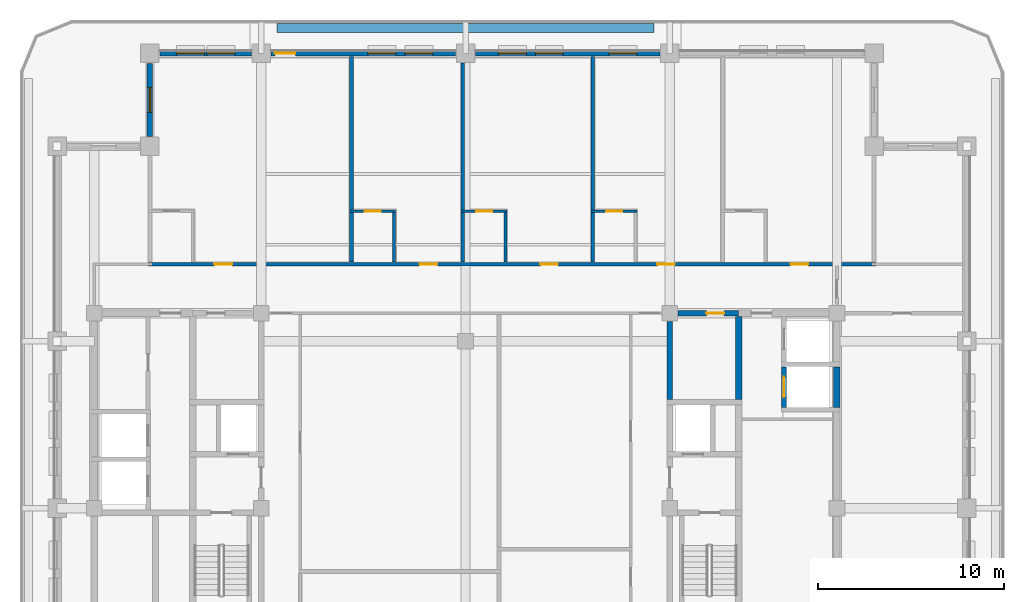
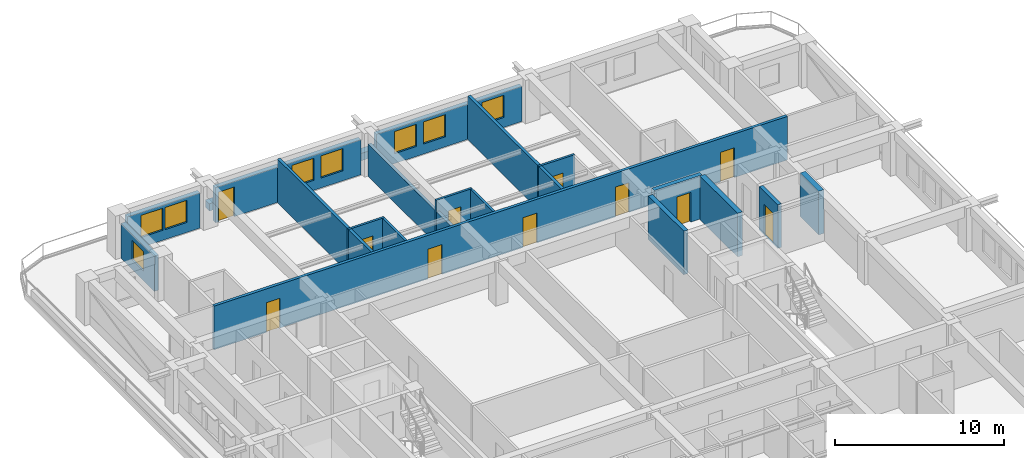
# One storey, part 6 of 13: 22 walls, 11 doors, 8 windows, 19 openings.
"""IFC4 building model written with IfcOpenShell, lengths in metres."""

from ifc_helpers import new_model, si_unit, direction, frame, frame_2d, origin, place, context, subcontext, project, spatial, rectangle, extrude, material, layer, layer_set, type_object, element, fill, save


model = new_model("IFC4")

# Units and contexts
model_context = context("Model", 3, precision=1e-05, world=origin(), true_north=direction((0.0, 1.0)))
body_context = subcontext(model_context, "Body", "Model", "MODEL_VIEW")
ifc_project = project(units=[si_unit("LENGTHUNIT", "METRE"), si_unit("AREAUNIT", "SQUARE_METRE"), si_unit("VOLUMEUNIT", "CUBIC_METRE"), si_unit("PLANEANGLEUNIT", "RADIAN"), si_unit("MASSUNIT", "GRAM", prefix="KILO")], contexts=[model_context])

# Site, building, storey
site_placement = place(None, origin())
site = spatial("IfcSite", under=ifc_project, at=site_placement, CompositionType="ELEMENT")
building_placement = place(site_placement, origin())
building = spatial("IfcBuilding", under=site, at=building_placement, Name="Zulmaris Gate Convention Tower", CompositionType="ELEMENT")
storey_placement = place(building_placement, frame((0.0, 0.0, 166.059814453125)))
storey = spatial("IfcBuildingStorey", under=building, at=storey_placement, Name="L42", CompositionType="ELEMENT", Elevation=166.059814453125)

# Wall, opening, door
ifc_material_1 = material(Name="Concrete C50/60", Category="concrete")
ifc_layer_1 = layer(ifc_material_1, 0.25, Name="Concrete C50/60")
ifc_layer_set_1 = layer_set([ifc_layer_1], Name="Concrete C50/60")
wall_type_1 = type_object("IfcWallType", Name="CORE-250", PredefinedType="SOLIDWALL", material=ifc_layer_set_1)
wall_1_placement = place(storey_placement, frame((17.14990234375, 5.427001953125, 0.0), z_axis=(0.0, 0.0, 1.0), x_axis=(0.0, 1.0, 0.0)))
wall_1 = element("IfcWall", 1, at=wall_1_placement, inside=storey, type_object=wall_type_1, Name="WL-L42-069", PredefinedType="SOLIDWALL", context=body_context, shape_type="SweptSolid", body=[
    extrude(rectangle(XDim=2.196044921875, YDim=0.25, at=frame_2d((1.09814453125, 0.0))), origin(), (0.0, 0.0, 1.0), 3.150146484375),
])
opening_1_placement = place(wall_1_placement, frame((0.548095703125, 0.0, 0.0)))
opening_1 = element("IfcOpeningElement", 2, at=opening_1_placement, cuts=wall_1, Name="Opening D-06", PredefinedType="OPENING", context=body_context, shape_type="SweptSolid", body=[
    extrude(rectangle(XDim=1.10009765625, YDim=2.199951171875, at=frame_2d((0.550048828125, 1.10009765625))), frame((0.0, 0.135009765625, 0.0), z_axis=(0.0, -1.0, 0.0), x_axis=(1.0, 0.0, 0.0)), (0.0, 0.0, 1.0), 0.27001953125),
])
ifc_material_2 = material(Name="Brushed Stainless Steel", Category="steel")
door_type_1 = type_object("IfcDoorType", Name="LD-1100", OperationType="NOTDEFINED", PredefinedType="DOOR", material=ifc_material_2)
door_1_placement = place(opening_1_placement, origin())
door_1 = element("IfcDoor", 3, at=door_1_placement, inside=storey, type_object=door_type_1, Name="L42 Lift Landing Door HP-01 14", OperationType="SLIDING_TO_RIGHT", OverallHeight=2.199951171875, OverallWidth=1.10009765625, PredefinedType="DOOR", context=body_context, shape_type="SweptSolid", body=[
    extrude(rectangle(XDim=1.10009765625, YDim=2.199951171875, at=frame_2d((0.550048828125, 1.10009765625))), frame((0.0, 0.02490234375, 0.0), z_axis=(0.0, -1.0, 0.0), x_axis=(1.0, 0.0, 0.0)), (0.0, 0.0, 1.0), 0.050048828125),
])
fill(opening_1, door_1)

ifc_layer_2 = layer(ifc_material_1, 0.300048828125, Name="Concrete C50/60")
ifc_layer_set_2 = layer_set([ifc_layer_2], Name="Concrete C50/60")
wall_type_2 = type_object("IfcWallType", Name="CORE-300", PredefinedType="SHEAR", material=ifc_layer_set_2)
wall_2_placement = place(storey_placement, frame((11.428955078125, 10.5, 0.0), z_axis=(0.0, 0.0, 1.0), x_axis=(1.0, 0.0, 0.0)))
wall_2 = element("IfcWall", 4, at=wall_2_placement, inside=storey, type_object=wall_type_2, Name="WL-L42-017", PredefinedType="SHEAR", context=body_context, shape_type="SweptSolid", body=[
    extrude(rectangle(XDim=3.27099609375, YDim=0.300048828125, at=frame_2d((1.635498046875, 0.0))), origin(), (0.0, 0.0, 1.0), 3.150146484375),
])
opening_2_placement = place(wall_2_placement, frame((1.5458984375, 0.0, 0.0)))
opening_2 = element("IfcOpeningElement", 5, at=opening_2_placement, cuts=wall_2, Name="Opening D-11", PredefinedType="OPENING", context=body_context, shape_type="SweptSolid", body=[
    extrude(rectangle(XDim=0.949951171875, YDim=2.14990234375, at=frame_2d((0.47509765625, 1.074951171875))), frame((0.0, 0.16015625, 0.0), z_axis=(0.0, -1.0, 0.0), x_axis=(1.0, 0.0, 0.0)), (0.0, 0.0, 1.0), 0.320068359375),
])
ifc_material_3 = material(Name="Fire-Rated Timber", Category="wood")
door_type_2 = type_object("IfcDoorType", Name="DR-950-FD", OperationType="NOTDEFINED", PredefinedType="DOOR", material=ifc_material_3)
door_2_placement = place(opening_2_placement, origin())
door_2 = element("IfcDoor", 6, at=door_2_placement, inside=storey, type_object=door_type_2, Name="L42 Core Cleaners Store Door 08", OperationType="SINGLE_SWING_RIGHT", OverallHeight=2.14990234375, OverallWidth=0.949951171875, PredefinedType="DOOR", context=body_context, shape_type="SweptSolid", body=[
    extrude(rectangle(XDim=0.949951171875, YDim=2.14990234375, at=frame_2d((0.47509765625, 1.074951171875))), frame((0.0, 0.02490234375, 0.0), z_axis=(0.0, -1.0, 0.0), x_axis=(1.0, 0.0, 0.0)), (0.0, 0.0, 1.0), 0.050048828125),
])
fill(opening_2, door_2)

# Walls
wall_3_placement = place(storey_placement, frame((11.0, 5.85205078125, 0.0), z_axis=(0.0, 0.0, 1.0), x_axis=(0.0, 1.0, 0.0)))
element("IfcWall", 7, at=wall_3_placement, inside=storey, type_object=wall_type_2, Name="WL-L42-062", PredefinedType="SHEAR", context=body_context, shape_type="SweptSolid", body=[
    extrude(rectangle(XDim=4.218994140625, YDim=0.300048828125, at=frame_2d((2.109375, 0.0))), origin(), (0.0, 0.0, 1.0), 3.150146484375),
])
ifc_material_4 = material(Name="Concrete C55/67", Category="concrete")
ifc_layer_3 = layer(ifc_material_4, 0.35009765625, Name="Concrete C55/67")
ifc_layer_set_3 = layer_set([ifc_layer_3], Name="Concrete C55/67")
wall_type_3 = type_object("IfcWallType", Name="CORE-350", PredefinedType="SHEAR", material=ifc_layer_set_3)
wall_4_placement = place(storey_placement, frame((14.699951171875, 5.85205078125, 0.0), z_axis=(0.0, 0.0, 1.0), x_axis=(0.0, 1.0, 0.0)))
element("IfcWall", 8, at=wall_4_placement, inside=storey, type_object=wall_type_3, Name="WL-L42-068", PredefinedType="SHEAR", context=body_context, shape_type="SweptSolid", body=[
    extrude(rectangle(XDim=4.470947265625, YDim=0.35009765625, at=frame_2d((2.2353515625, 0.0))), origin(), (0.0, 0.0, 1.0), 3.150146484375),
])
wall_5_placement = place(storey_placement, frame((20.0, 5.427001953125, 0.0), z_axis=(0.0, 0.0, 1.0), x_axis=(0.0, 1.0, 0.0)))
element("IfcWall", 9, at=wall_5_placement, inside=storey, type_object=wall_type_3, Name="WL-L42-072", PredefinedType="SHEAR", context=body_context, shape_type="SweptSolid", body=[
    extrude(rectangle(XDim=2.196044921875, YDim=0.35009765625, at=frame_2d((1.09814453125, 0.0))), origin(), (0.0, 0.0, 1.0), 3.150146484375),
])

# Wall, opening, door
ifc_material_5 = material(Name="Gypsum Metal Stud Partition")
ifc_layer_4 = layer(ifc_material_5, 0.14990234375, Name="Gypsum Metal Stud Partition")
ifc_layer_set_4 = layer_set([ifc_layer_4], Name="Gypsum Metal Stud Partition")
wall_type_4 = type_object("IfcWallType", Name="PART-150", PredefinedType="PARTITIONING", material=ifc_layer_set_4)
wall_6_placement = place(storey_placement, frame((-6.25, 16.0, 0.0), z_axis=(0.0, 0.0, 1.0), x_axis=(1.0, 0.0, 0.0)))
wall_6 = element("IfcWall", 10, at=wall_6_placement, inside=storey, type_object=wall_type_4, Name="WL-L42-038", PredefinedType="PARTITIONING", context=body_context, shape_type="SweptSolid", body=[
    extrude(rectangle(XDim=2.47509765625, YDim=0.14990234375, at=frame_2d((1.237548828125, 0.0))), origin(), (0.0, 0.0, 1.0), 3.150146484375),
])
opening_3_placement = place(wall_6_placement, frame((0.824951171875, 0.0, 0.0)))
opening_3 = element("IfcOpeningElement", 11, at=opening_3_placement, cuts=wall_6, Name="Opening D-17", PredefinedType="OPENING", context=body_context, shape_type="SweptSolid", body=[
    extrude(rectangle(XDim=0.85009765625, YDim=2.10009765625, at=frame_2d((0.425048828125, 1.050048828125))), frame((0.0, 0.0849609375, 0.0), z_axis=(0.0, -1.0, 0.0), x_axis=(1.0, 0.0, 0.0)), (0.0, 0.0, 1.0), 0.169921875),
])
ifc_material_6 = material(Name="Moisture-Resistant Hardwood Timber", Category="wood")
door_type_3 = type_object("IfcDoorType", Name="DR-850", OperationType="NOTDEFINED", PredefinedType="DOOR", material=ifc_material_6)
door_3_placement = place(opening_3_placement, origin())
door_3 = element("IfcDoor", 12, at=door_3_placement, inside=storey, type_object=door_type_3, Name="L42 En-Suite Door 25", OperationType="SINGLE_SWING_LEFT", OverallHeight=2.10009765625, OverallWidth=0.85009765625, PredefinedType="DOOR", context=body_context, shape_type="SweptSolid", body=[
    extrude(rectangle(XDim=0.85009765625, YDim=2.10009765625, at=frame_2d((0.425048828125, 1.050048828125))), frame((0.0, 0.02490234375, 0.0), z_axis=(0.0, -1.0, 0.0), x_axis=(1.0, 0.0, 0.0)), (0.0, 0.0, 1.0), 0.050048828125),
])
fill(opening_3, door_3)

wall_7_placement = place(storey_placement, frame((-0.25, 16.0, 0.0), z_axis=(0.0, 0.0, 1.0), x_axis=(1.0, 0.0, 0.0)))
wall_7 = element("IfcWall", 13, at=wall_7_placement, inside=storey, type_object=wall_type_4, Name="WL-L42-039", PredefinedType="PARTITIONING", context=body_context, shape_type="SweptSolid", body=[
    extrude(rectangle(XDim=2.47509765625, YDim=0.14990234375, at=frame_2d((1.237548828125, 0.0))), origin(), (0.0, 0.0, 1.0), 3.150146484375),
])
opening_4_placement = place(wall_7_placement, frame((0.824951171875, 0.0, 0.0)))
opening_4 = element("IfcOpeningElement", 14, at=opening_4_placement, cuts=wall_7, Name="Opening D-17", PredefinedType="OPENING", context=body_context, shape_type="SweptSolid", body=[
    extrude(rectangle(XDim=0.85009765625, YDim=2.10009765625, at=frame_2d((0.425048828125, 1.050048828125))), frame((0.0, 0.0849609375, 0.0), z_axis=(0.0, -1.0, 0.0), x_axis=(1.0, 0.0, 0.0)), (0.0, 0.0, 1.0), 0.169921875),
])
door_4_placement = place(opening_4_placement, origin())
door_4 = element("IfcDoor", 15, at=door_4_placement, inside=storey, type_object=door_type_3, Name="L42 En-Suite Door 27", OperationType="SINGLE_SWING_LEFT", OverallHeight=2.10009765625, OverallWidth=0.85009765625, PredefinedType="DOOR", context=body_context, shape_type="SweptSolid", body=[
    extrude(rectangle(XDim=0.85009765625, YDim=2.10009765625, at=frame_2d((0.425048828125, 1.050048828125))), frame((0.0, 0.02490234375, 0.0), z_axis=(0.0, -1.0, 0.0), x_axis=(1.0, 0.0, 0.0)), (0.0, 0.0, 1.0), 0.050048828125),
])
fill(opening_4, door_4)

wall_8_placement = place(storey_placement, frame((6.75, 16.0, 0.0), z_axis=(0.0, 0.0, 1.0), x_axis=(1.0, 0.0, 0.0)))
wall_8 = element("IfcWall", 16, at=wall_8_placement, inside=storey, type_object=wall_type_4, Name="WL-L42-040", PredefinedType="PARTITIONING", context=body_context, shape_type="SweptSolid", body=[
    extrude(rectangle(XDim=2.47509765625, YDim=0.14990234375, at=frame_2d((1.237548828125, 0.0))), origin(), (0.0, 0.0, 1.0), 3.150146484375),
])
opening_5_placement = place(wall_8_placement, frame((0.824951171875, 0.0, 0.0)))
opening_5 = element("IfcOpeningElement", 17, at=opening_5_placement, cuts=wall_8, Name="Opening D-17", PredefinedType="OPENING", context=body_context, shape_type="SweptSolid", body=[
    extrude(rectangle(XDim=0.85009765625, YDim=2.10009765625, at=frame_2d((0.425048828125, 1.050048828125))), frame((0.0, 0.0849609375, 0.0), z_axis=(0.0, -1.0, 0.0), x_axis=(1.0, 0.0, 0.0)), (0.0, 0.0, 1.0), 0.169921875),
])
door_5_placement = place(opening_5_placement, origin())
door_5 = element("IfcDoor", 18, at=door_5_placement, inside=storey, type_object=door_type_3, Name="L42 En-Suite Door 29", OperationType="SINGLE_SWING_LEFT", OverallHeight=2.10009765625, OverallWidth=0.85009765625, PredefinedType="DOOR", context=body_context, shape_type="SweptSolid", body=[
    extrude(rectangle(XDim=0.85009765625, YDim=2.10009765625, at=frame_2d((0.425048828125, 1.050048828125))), frame((0.0, 0.02490234375, 0.0), z_axis=(0.0, -1.0, 0.0), x_axis=(1.0, 0.0, 0.0)), (0.0, 0.0, 1.0), 0.050048828125),
])
fill(opening_5, door_5)

# Walls
for number, where, z_axis, x_axis, name in (
    (19, (-3.85009765625, 13.2529296875, 0.0), (0.0, 0.0, 1.0), (0.0, 1.0, 0.0), "WL-L42-089"),
    (20, (2.14990234375, 13.2529296875, 0.0), (0.0, 0.0, 1.0), (0.0, 1.0, 0.0), "WL-L42-100"),
):
    element("IfcWall", number, at=place(storey_placement, frame(where, z_axis=z_axis, x_axis=x_axis)), inside=storey, type_object=wall_type_4, Name=name, PredefinedType="PARTITIONING", context=body_context, shape_type="SweptSolid", body=[
        extrude(rectangle(XDim=2.669189453125, YDim=0.14990234375, at=frame_2d((1.33447265625, 0.0))), origin(), (0.0, 0.0, 1.0), 3.150146484375),
    ])

# Wall, openings, doors
ifc_material_7 = material(Name="Autoclaved Aerated Concrete Block and Plasterboard", Category="concrete")
ifc_layer_5 = layer(ifc_material_7, 0.199951171875, Name="Autoclaved Aerated Concrete Block and Plasterboard")
ifc_layer_set_5 = layer_set([ifc_layer_5], Name="Autoclaved Aerated Concrete Block and Plasterboard")
wall_type_5 = type_object("IfcWallType", Name="PART-200", PredefinedType="PARTITIONING", material=ifc_layer_set_5)
wall_9_placement = place(storey_placement, frame((-17.10009765625, 13.14990234375, 0.0), z_axis=(0.0, 0.0, 1.0), x_axis=(1.0, 0.0, 0.0)))
wall_9 = element("IfcWall", 21, at=wall_9_placement, inside=storey, type_object=wall_type_5, Name="WL-L42-035", PredefinedType="PARTITIONING", context=body_context, shape_type="SweptSolid", body=[
    extrude(rectangle(XDim=39.2001953125, YDim=0.199951171875, at=frame_2d((19.60009765625, 0.0))), origin(), (0.0, 0.0, 1.0), 3.150146484375),
])
opening_6_placement = place(wall_9_placement, frame((3.574951171875, 0.0, 0.0)))
opening_6 = element("IfcOpeningElement", 22, at=opening_6_placement, cuts=wall_9, Name="Opening D-11", PredefinedType="OPENING", context=body_context, shape_type="SweptSolid", body=[
    extrude(rectangle(XDim=0.949951171875, YDim=2.14990234375, at=frame_2d((0.47509765625, 1.074951171875))), frame((0.0, 0.10986328125, 0.0), z_axis=(0.0, -1.0, 0.0), x_axis=(1.0, 0.0, 0.0)), (0.0, 0.0, 1.0), 0.219970703125),
])
opening_7_placement = place(wall_9_placement, frame((14.625, 0.0, 0.0)))
opening_7 = element("IfcOpeningElement", 23, at=opening_7_placement, cuts=wall_9, Name="Opening D-11", PredefinedType="OPENING", context=body_context, shape_type="SweptSolid", body=[
    extrude(rectangle(XDim=0.949951171875, YDim=2.14990234375, at=frame_2d((0.47509765625, 1.074951171875))), frame((0.0, 0.10986328125, 0.0), z_axis=(0.0, -1.0, 0.0), x_axis=(1.0, 0.0, 0.0)), (0.0, 0.0, 1.0), 0.219970703125),
])
opening_8_placement = place(wall_9_placement, frame((21.125, 0.0, 0.0)))
opening_8 = element("IfcOpeningElement", 24, at=opening_8_placement, cuts=wall_9, Name="Opening D-11", PredefinedType="OPENING", context=body_context, shape_type="SweptSolid", body=[
    extrude(rectangle(XDim=0.949951171875, YDim=2.14990234375, at=frame_2d((0.47509765625, 1.074951171875))), frame((0.0, 0.10986328125, 0.0), z_axis=(0.0, -1.0, 0.0), x_axis=(1.0, 0.0, 0.0)), (0.0, 0.0, 1.0), 0.219970703125),
])
opening_9_placement = place(wall_9_placement, frame((27.425048828125, 0.0, 0.0)))
opening_9 = element("IfcOpeningElement", 25, at=opening_9_placement, cuts=wall_9, Name="Opening D-11", PredefinedType="OPENING", context=body_context, shape_type="SweptSolid", body=[
    extrude(rectangle(XDim=0.949951171875, YDim=2.14990234375, at=frame_2d((0.47509765625, 1.074951171875))), frame((0.0, 0.10986328125, 0.0), z_axis=(0.0, -1.0, 0.0), x_axis=(1.0, 0.0, 0.0)), (0.0, 0.0, 1.0), 0.219970703125),
])
opening_10_placement = place(wall_9_placement, frame((34.60498046875, 0.0, 0.0)))
opening_10 = element("IfcOpeningElement", 26, at=opening_10_placement, cuts=wall_9, Name="Opening D-11", PredefinedType="OPENING", context=body_context, shape_type="SweptSolid", body=[
    extrude(rectangle(XDim=0.949951171875, YDim=2.14990234375, at=frame_2d((0.47509765625, 1.074951171875))), frame((0.0, 0.10986328125, 0.0), z_axis=(0.0, -1.0, 0.0), x_axis=(1.0, 0.0, 0.0)), (0.0, 0.0, 1.0), 0.219970703125),
])
door_6_placement = place(opening_6_placement, origin())
door_6 = element("IfcDoor", 27, at=door_6_placement, inside=storey, type_object=door_type_2, Name="L42 Hotel Diplomatic Suite Door 22", OperationType="SINGLE_SWING_RIGHT", OverallHeight=2.14990234375, OverallWidth=0.949951171875, PredefinedType="DOOR", context=body_context, shape_type="SweptSolid", body=[
    extrude(rectangle(XDim=0.949951171875, YDim=2.14990234375, at=frame_2d((0.47509765625, 1.074951171875))), frame((0.0, 0.02490234375, 0.0), z_axis=(0.0, -1.0, 0.0), x_axis=(1.0, 0.0, 0.0)), (0.0, 0.0, 1.0), 0.050048828125),
])
fill(opening_6, door_6)
door_7_placement = place(opening_7_placement, origin())
door_7 = element("IfcDoor", 28, at=door_7_placement, inside=storey, type_object=door_type_2, Name="L42 Hotel Diplomatic Suite Door 24", OperationType="SINGLE_SWING_RIGHT", OverallHeight=2.14990234375, OverallWidth=0.949951171875, PredefinedType="DOOR", context=body_context, shape_type="SweptSolid", body=[
    extrude(rectangle(XDim=0.949951171875, YDim=2.14990234375, at=frame_2d((0.47509765625, 1.074951171875))), frame((0.0, 0.02490234375, 0.0), z_axis=(0.0, -1.0, 0.0), x_axis=(1.0, 0.0, 0.0)), (0.0, 0.0, 1.0), 0.050048828125),
])
fill(opening_7, door_7)
door_8_placement = place(opening_8_placement, origin())
door_8 = element("IfcDoor", 29, at=door_8_placement, inside=storey, type_object=door_type_2, Name="L42 Hotel Diplomatic Suite Door 26", OperationType="SINGLE_SWING_RIGHT", OverallHeight=2.14990234375, OverallWidth=0.949951171875, PredefinedType="DOOR", context=body_context, shape_type="SweptSolid", body=[
    extrude(rectangle(XDim=0.949951171875, YDim=2.14990234375, at=frame_2d((0.47509765625, 1.074951171875))), frame((0.0, 0.02490234375, 0.0), z_axis=(0.0, -1.0, 0.0), x_axis=(1.0, 0.0, 0.0)), (0.0, 0.0, 1.0), 0.050048828125),
])
fill(opening_8, door_8)
door_9_placement = place(opening_9_placement, origin())
door_9 = element("IfcDoor", 30, at=door_9_placement, inside=storey, type_object=door_type_2, Name="L42 Hotel Diplomatic Suite Door 28", OperationType="SINGLE_SWING_RIGHT", OverallHeight=2.14990234375, OverallWidth=0.949951171875, PredefinedType="DOOR", context=body_context, shape_type="SweptSolid", body=[
    extrude(rectangle(XDim=0.949951171875, YDim=2.14990234375, at=frame_2d((0.47509765625, 1.074951171875))), frame((0.0, 0.02490234375, 0.0), z_axis=(0.0, -1.0, 0.0), x_axis=(1.0, 0.0, 0.0)), (0.0, 0.0, 1.0), 0.050048828125),
])
fill(opening_9, door_9)
door_10_placement = place(opening_10_placement, origin())
door_10 = element("IfcDoor", 31, at=door_10_placement, inside=storey, type_object=door_type_2, Name="L42 Hotel Diplomatic Suite Door 30", OperationType="SINGLE_SWING_RIGHT", OverallHeight=2.14990234375, OverallWidth=0.949951171875, PredefinedType="DOOR", context=body_context, shape_type="SweptSolid", body=[
    extrude(rectangle(XDim=0.949951171875, YDim=2.14990234375, at=frame_2d((0.47509765625, 1.074951171875))), frame((0.0, 0.02490234375, 0.0), z_axis=(0.0, -1.0, 0.0), x_axis=(1.0, 0.0, 0.0)), (0.0, 0.0, 1.0), 0.050048828125),
])
fill(opening_10, door_10)

# Walls
wall_10_placement = place(storey_placement, frame((-6.14990234375, 13.2529296875, 0.0), z_axis=(0.0, 0.0, 1.0), x_axis=(0.0, 1.0, 0.0)))
element("IfcWall", 32, at=wall_10_placement, inside=storey, type_object=wall_type_5, Name="WL-L42-085", PredefinedType="PARTITIONING", context=body_context, shape_type="SweptSolid", body=[
    extrude(rectangle(XDim=2.669189453125, YDim=0.199951171875, at=frame_2d((1.33447265625, 0.0))), origin(), (0.0, 0.0, 1.0), 3.150146484375),
])
wall_11_placement = place(storey_placement, frame((-6.14990234375, 16.077880859375, 0.0), z_axis=(0.0, 0.0, 1.0), x_axis=(0.0, 1.0, 0.0)))
element("IfcWall", 33, at=wall_11_placement, inside=storey, type_object=wall_type_5, Name="WL-L42-086", PredefinedType="PARTITIONING", context=body_context, shape_type="SweptSolid", body=[
    extrude(rectangle(XDim=8.257080078125, YDim=0.199951171875, at=frame_2d((4.12841796875, 0.0))), origin(), (0.0, 0.0, 1.0), 3.150146484375),
])
wall_12_placement = place(storey_placement, frame((-0.14990234375, 13.2529296875, 0.0), z_axis=(0.0, 0.0, 1.0), x_axis=(0.0, 1.0, 0.0)))
element("IfcWall", 34, at=wall_12_placement, inside=storey, type_object=wall_type_5, Name="WL-L42-093", PredefinedType="PARTITIONING", context=body_context, shape_type="SweptSolid", body=[
    extrude(rectangle(XDim=2.669189453125, YDim=0.199951171875, at=frame_2d((1.33447265625, 0.0))), origin(), (0.0, 0.0, 1.0), 2.34228515625),
])
wall_13_placement = place(storey_placement, frame((-0.14990234375, 16.077880859375, 0.0), z_axis=(0.0, 0.0, 1.0), x_axis=(0.0, 1.0, 0.0)))
element("IfcWall", 35, at=wall_13_placement, inside=storey, type_object=wall_type_5, Name="WL-L42-094", PredefinedType="PARTITIONING", context=body_context, shape_type="SweptSolid", body=[
    extrude(rectangle(XDim=7.916015625, YDim=0.199951171875, at=frame_2d((3.9580078125, 0.0))), origin(), (0.0, 0.0, 1.0), 2.34228515625),
])
wall_14_placement = place(storey_placement, frame((6.85009765625, 13.2529296875, 0.0), z_axis=(0.0, 0.0, 1.0), x_axis=(0.0, 1.0, 0.0)))
element("IfcWall", 36, at=wall_14_placement, inside=storey, type_object=wall_type_5, Name="WL-L42-104", PredefinedType="PARTITIONING", context=body_context, shape_type="SweptSolid", body=[
    extrude(rectangle(XDim=2.669189453125, YDim=0.199951171875, at=frame_2d((1.33447265625, 0.0))), origin(), (0.0, 0.0, 1.0), 3.150146484375),
])
wall_15_placement = place(storey_placement, frame((6.85009765625, 16.077880859375, 0.0), z_axis=(0.0, 0.0, 1.0), x_axis=(0.0, 1.0, 0.0)))
element("IfcWall", 37, at=wall_15_placement, inside=storey, type_object=wall_type_5, Name="WL-L42-105", PredefinedType="PARTITIONING", context=body_context, shape_type="SweptSolid", body=[
    extrude(rectangle(XDim=8.257080078125, YDim=0.199951171875, at=frame_2d((4.12841796875, 0.0))), origin(), (0.0, 0.0, 1.0), 3.150146484375),
])
ifc_material_8 = material(Name="Botanical Green Glazed Precast Concrete C40/50", Category="concrete")
ifc_layer_6 = layer(ifc_material_8, 0.419921875, Name="Botanical Green Glazed Precast Concrete C40/50")
ifc_layer_set_6 = layer_set([ifc_layer_6], Name="Botanical Green Glazed Precast Concrete C40/50")
wall_type_6 = type_object("IfcWallType", Name="PLANTER-CURB-200", PredefinedType="PARAPET", material=ifc_layer_set_6)
wall_16_placement = place(storey_placement, frame((-10.14990234375, 25.8798828125, -0.0400390625), z_axis=(0.0, 0.0, 1.0), x_axis=(1.0, 0.0, 0.0)))
element("IfcWall", 38, at=wall_16_placement, inside=storey, type_object=wall_type_6, Name="L42 Full-Length Balcony Tree Planter Trough", PredefinedType="PARAPET", context=body_context, shape_type="SweptSolid", body=[
    extrude(rectangle(XDim=20.2998046875, YDim=0.47998046875, at=frame_2d((10.14990234375, 0.0))), origin(), (0.0, 0.0, 1.0), 0.52001953125),
])

# Wall, opening, window
ifc_material_9 = material(Name="Precast concrete C40/50", Category="concrete")
ifc_layer_7 = layer(ifc_material_9, 0.300048828125, Name="Precast concrete C40/50")
ifc_layer_set_7 = layer_set([ifc_layer_7], Name="Precast concrete C40/50")
wall_type_7 = type_object("IfcWallType", Name="PRECAST-PIER-300", PredefinedType="STANDARD", material=ifc_layer_set_7)
wall_17_placement = place(storey_placement, frame((-17.0, 23.969970703125, 0.0), z_axis=(0.0, 0.0, 1.0), x_axis=(0.0, -1.0, 0.0)))
wall_17 = element("IfcWall", 39, at=wall_17_placement, inside=storey, type_object=wall_type_7, Name="EW-L42-NOTCH-NW1_0", PredefinedType="STANDARD", context=body_context, shape_type="SweptSolid", body=[
    extrude(rectangle(XDim=3.93994140625, YDim=0.300048828125, at=frame_2d((1.969970703125, 0.0))), origin(), (0.0, 0.0, 1.0), 2.542236328125),
])
opening_11_placement = place(wall_17_placement, frame((1.294921875, 0.0, 0.679931640625)))
opening_11 = element("IfcOpeningElement", 40, at=opening_11_placement, cuts=wall_17, Name="Opening W-10", PredefinedType="OPENING", context=body_context, shape_type="SweptSolid", body=[
    extrude(rectangle(XDim=1.35009765625, YDim=1.419921875, at=frame_2d((0.675048828125, 0.7099609375))), frame((0.0, 0.16015625, 0.0), z_axis=(0.0, -1.0, 0.0), x_axis=(1.0, 0.0, 0.0)), (0.0, 0.0, 1.0), 0.320068359375),
])
ifc_material_10 = material(Name="Low-E Laminated Double Glazing in Aluminium Frame", Category="aluminium")
window_type_1 = type_object("IfcWindowType", Name="WIN-1350x2000", PartitioningType="SINGLE_PANEL", PredefinedType="WINDOW", material=ifc_material_10)
window_1_placement = place(opening_11_placement, origin())
window_1 = element("IfcWindow", 41, at=window_1_placement, inside=storey, type_object=window_type_1, Name="WN-EW-L42-NOTCH-NW1_0", OverallHeight=1.419921875, OverallWidth=1.35009765625, PartitioningType="SINGLE_PANEL", PredefinedType="WINDOW", context=body_context, shape_type="SweptSolid", body=[
    extrude(rectangle(XDim=1.35009765625, YDim=1.419921875, at=frame_2d((0.675048828125, 0.7099609375))), frame((0.0, 0.030029296875, 0.0), z_axis=(0.0, -1.0, 0.0), x_axis=(1.0, 0.0, 0.0)), (0.0, 0.0, 1.0), 0.06005859375),
])
fill(opening_11, window_1)

# Wall, openings, windows
wall_18_placement = place(storey_placement, frame((-11.530029296875, 24.5, 0.0), z_axis=(0.0, 0.0, 1.0), x_axis=(-1.0, 0.0, 0.0)))
wall_18 = element("IfcWall", 42, at=wall_18_placement, inside=storey, type_object=wall_type_7, Name="EW-L42-N-0_0", PredefinedType="STANDARD", context=body_context, shape_type="SweptSolid", body=[
    extrude(rectangle(XDim=4.93994140625, YDim=0.300048828125, at=frame_2d((2.469970703125, 0.0))), origin(), (0.0, 0.0, 1.0), 2.542236328125),
])
opening_12_placement = place(wall_18_placement, frame((0.89697265625, 0.0, 0.719970703125)))
opening_12 = element("IfcOpeningElement", 43, at=opening_12_placement, cuts=wall_18, Name="Opening W-03", PredefinedType="OPENING", context=body_context, shape_type="SweptSolid", body=[
    extrude(rectangle(XDim=1.5, YDim=1.60009765625, at=frame_2d((0.75, 0.800048828125))), frame((0.0, 0.16015625, 0.0), z_axis=(0.0, -1.0, 0.0), x_axis=(1.0, 0.0, 0.0)), (0.0, 0.0, 1.0), 0.320068359375),
])
opening_13_placement = place(wall_18_placement, frame((2.54296875, 0.0, 0.719970703125)))
opening_13 = element("IfcOpeningElement", 44, at=opening_13_placement, cuts=wall_18, Name="Opening W-03", PredefinedType="OPENING", context=body_context, shape_type="SweptSolid", body=[
    extrude(rectangle(XDim=1.5, YDim=1.60009765625, at=frame_2d((0.75, 0.800048828125))), frame((0.0, 0.16015625, 0.0), z_axis=(0.0, -1.0, 0.0), x_axis=(1.0, 0.0, 0.0)), (0.0, 0.0, 1.0), 0.320068359375),
])
window_type_2 = type_object("IfcWindowType", Name="WIN-1500x2100", PartitioningType="SINGLE_PANEL", PredefinedType="WINDOW", material=ifc_material_10)
window_2_placement = place(opening_12_placement, origin())
window_2 = element("IfcWindow", 45, at=window_2_placement, inside=storey, type_object=window_type_2, Name="WN-EW-L42-N-0_0-1", OverallHeight=1.60009765625, OverallWidth=1.5, PartitioningType="SINGLE_PANEL", PredefinedType="WINDOW", context=body_context, shape_type="SweptSolid", body=[
    extrude(rectangle(XDim=1.5, YDim=1.60009765625, at=frame_2d((0.75, 0.800048828125))), frame((0.0, 0.030029296875, 0.0), z_axis=(0.0, -1.0, 0.0), x_axis=(1.0, 0.0, 0.0)), (0.0, 0.0, 1.0), 0.06005859375),
])
fill(opening_12, window_2)
window_3_placement = place(opening_13_placement, origin())
window_3 = element("IfcWindow", 46, at=window_3_placement, inside=storey, type_object=window_type_2, Name="WN-EW-L42-N-0_0-2", OverallHeight=1.60009765625, OverallWidth=1.5, PartitioningType="SINGLE_PANEL", PredefinedType="WINDOW", context=body_context, shape_type="SweptSolid", body=[
    extrude(rectangle(XDim=1.5, YDim=1.60009765625, at=frame_2d((0.75, 0.800048828125))), frame((0.0, 0.030029296875, 0.0), z_axis=(0.0, -1.0, 0.0), x_axis=(1.0, 0.0, 0.0)), (0.0, 0.0, 1.0), 0.06005859375),
])
fill(opening_13, window_3)

# Wall, openings, door, windows
wall_19_placement = place(storey_placement, frame((-0.530029296875, 24.5, 0.0), z_axis=(0.0, 0.0, 1.0), x_axis=(-1.0, 0.0, 0.0)))
wall_19 = element("IfcWall", 47, at=wall_19_placement, inside=storey, type_object=wall_type_7, Name="EW-L42-N-1_0", PredefinedType="STANDARD", context=body_context, shape_type="SweptSolid", body=[
    extrude(rectangle(XDim=9.93994140625, YDim=0.300048828125, at=frame_2d((4.969970703125, 0.0))), origin(), (0.0, 0.0, 1.0), 2.542236328125),
])
opening_14_placement = place(wall_19_placement, frame((8.639892578125, 0.0, 0.0)))
opening_14 = element("IfcOpeningElement", 48, at=opening_14_placement, cuts=wall_19, Name="Opening D-04", PredefinedType="OPENING", context=body_context, shape_type="SweptSolid", body=[
    extrude(rectangle(XDim=1.10009765625, YDim=2.14990234375, at=frame_2d((0.550048828125, 1.074951171875))), frame((0.0, 0.16015625, 0.0), z_axis=(0.0, -1.0, 0.0), x_axis=(1.0, 0.0, 0.0)), (0.0, 0.0, 1.0), 0.320068359375),
])
opening_15_placement = place(wall_19_placement, frame((1.238037109375, 0.0, 0.719970703125)))
opening_15 = element("IfcOpeningElement", 49, at=opening_15_placement, cuts=wall_19, Name="Opening W-03", PredefinedType="OPENING", context=body_context, shape_type="SweptSolid", body=[
    extrude(rectangle(XDim=1.5, YDim=1.60009765625, at=frame_2d((0.75, 0.800048828125))), frame((0.0, 0.16015625, 0.0), z_axis=(0.0, -1.0, 0.0), x_axis=(1.0, 0.0, 0.0)), (0.0, 0.0, 1.0), 0.320068359375),
])
opening_16_placement = place(wall_19_placement, frame((3.22607421875, 0.0, 0.719970703125)))
opening_16 = element("IfcOpeningElement", 50, at=opening_16_placement, cuts=wall_19, Name="Opening W-03", PredefinedType="OPENING", context=body_context, shape_type="SweptSolid", body=[
    extrude(rectangle(XDim=1.5, YDim=1.60009765625, at=frame_2d((0.75, 0.800048828125))), frame((0.0, 0.16015625, 0.0), z_axis=(0.0, -1.0, 0.0), x_axis=(1.0, 0.0, 0.0)), (0.0, 0.0, 1.0), 0.320068359375),
])
ifc_material_11 = material(Name="Anodised Aluminium and Laminated Glass", Category="aluminium")
door_type_4 = type_object("IfcDoorType", Name="ED-1100", OperationType="SINGLE_SWING_RIGHT", PredefinedType="DOOR", material=ifc_material_11)
door_11_placement = place(opening_14_placement, origin())
door_11 = element("IfcDoor", 51, at=door_11_placement, inside=storey, type_object=door_type_4, Name="L42 N Planted Terrace Door", OperationType="SINGLE_SWING_LEFT", OverallHeight=2.14990234375, OverallWidth=1.10009765625, PredefinedType="DOOR", context=body_context, shape_type="SweptSolid", body=[
    extrude(rectangle(XDim=1.10009765625, YDim=2.14990234375, at=frame_2d((0.550048828125, 1.074951171875))), frame((0.0, 0.02490234375, 0.0), z_axis=(0.0, -1.0, 0.0), x_axis=(1.0, 0.0, 0.0)), (0.0, 0.0, 1.0), 0.050048828125),
])
fill(opening_14, door_11)
window_4_placement = place(opening_15_placement, origin())
window_4 = element("IfcWindow", 52, at=window_4_placement, inside=storey, type_object=window_type_2, Name="WN-EW-L42-N-1_0-1", OverallHeight=1.60009765625, OverallWidth=1.5, PartitioningType="SINGLE_PANEL", PredefinedType="WINDOW", context=body_context, shape_type="SweptSolid", body=[
    extrude(rectangle(XDim=1.5, YDim=1.60009765625, at=frame_2d((0.75, 0.800048828125))), frame((0.0, 0.030029296875, 0.0), z_axis=(0.0, -1.0, 0.0), x_axis=(1.0, 0.0, 0.0)), (0.0, 0.0, 1.0), 0.06005859375),
])
fill(opening_15, window_4)
window_5_placement = place(opening_16_placement, origin())
window_5 = element("IfcWindow", 53, at=window_5_placement, inside=storey, type_object=window_type_2, Name="WN-EW-L42-N-1_0-2", OverallHeight=1.60009765625, OverallWidth=1.5, PartitioningType="SINGLE_PANEL", PredefinedType="WINDOW", context=body_context, shape_type="SweptSolid", body=[
    extrude(rectangle(XDim=1.5, YDim=1.60009765625, at=frame_2d((0.75, 0.800048828125))), frame((0.0, 0.030029296875, 0.0), z_axis=(0.0, -1.0, 0.0), x_axis=(1.0, 0.0, 0.0)), (0.0, 0.0, 1.0), 0.06005859375),
])
fill(opening_16, window_5)

# Wall, openings, windows
wall_20_placement = place(storey_placement, frame((10.469970703125, 24.5, 0.0), z_axis=(0.0, 0.0, 1.0), x_axis=(-1.0, 0.0, 0.0)))
wall_20 = element("IfcWall", 54, at=wall_20_placement, inside=storey, type_object=wall_type_7, Name="EW-L42-N-2_0", PredefinedType="STANDARD", context=body_context, shape_type="SweptSolid", body=[
    extrude(rectangle(XDim=9.93994140625, YDim=0.300048828125, at=frame_2d((4.969970703125, 0.0))), origin(), (0.0, 0.0, 1.0), 2.542236328125),
])
opening_17_placement = place(wall_20_placement, frame((1.238037109375, 0.0, 0.719970703125)))
opening_17 = element("IfcOpeningElement", 55, at=opening_17_placement, cuts=wall_20, Name="Opening W-03", PredefinedType="OPENING", context=body_context, shape_type="SweptSolid", body=[
    extrude(rectangle(XDim=1.5, YDim=1.60009765625, at=frame_2d((0.75, 0.800048828125))), frame((0.0, 0.16015625, 0.0), z_axis=(0.0, -1.0, 0.0), x_axis=(1.0, 0.0, 0.0)), (0.0, 0.0, 1.0), 0.320068359375),
])
opening_18_placement = place(wall_20_placement, frame((5.214111328125, 0.0, 0.719970703125)))
opening_18 = element("IfcOpeningElement", 56, at=opening_18_placement, cuts=wall_20, Name="Opening W-03", PredefinedType="OPENING", context=body_context, shape_type="SweptSolid", body=[
    extrude(rectangle(XDim=1.5, YDim=1.60009765625, at=frame_2d((0.75, 0.800048828125))), frame((0.0, 0.16015625, 0.0), z_axis=(0.0, -1.0, 0.0), x_axis=(1.0, 0.0, 0.0)), (0.0, 0.0, 1.0), 0.320068359375),
])
opening_19_placement = place(wall_20_placement, frame((7.201904296875, 0.0, 0.719970703125)))
opening_19 = element("IfcOpeningElement", 57, at=opening_19_placement, cuts=wall_20, Name="Opening W-03", PredefinedType="OPENING", context=body_context, shape_type="SweptSolid", body=[
    extrude(rectangle(XDim=1.5, YDim=1.60009765625, at=frame_2d((0.75, 0.800048828125))), frame((0.0, 0.16015625, 0.0), z_axis=(0.0, -1.0, 0.0), x_axis=(1.0, 0.0, 0.0)), (0.0, 0.0, 1.0), 0.320068359375),
])
window_6_placement = place(opening_17_placement, origin())
window_6 = element("IfcWindow", 58, at=window_6_placement, inside=storey, type_object=window_type_2, Name="WN-EW-L42-N-2_0-1", OverallHeight=1.60009765625, OverallWidth=1.5, PartitioningType="SINGLE_PANEL", PredefinedType="WINDOW", context=body_context, shape_type="SweptSolid", body=[
    extrude(rectangle(XDim=1.5, YDim=1.60009765625, at=frame_2d((0.75, 0.800048828125))), frame((0.0, 0.030029296875, 0.0), z_axis=(0.0, -1.0, 0.0), x_axis=(1.0, 0.0, 0.0)), (0.0, 0.0, 1.0), 0.06005859375),
])
fill(opening_17, window_6)
window_7_placement = place(opening_18_placement, origin())
window_7 = element("IfcWindow", 59, at=window_7_placement, inside=storey, type_object=window_type_2, Name="WN-EW-L42-N-2_0-3", OverallHeight=1.60009765625, OverallWidth=1.5, PartitioningType="SINGLE_PANEL", PredefinedType="WINDOW", context=body_context, shape_type="SweptSolid", body=[
    extrude(rectangle(XDim=1.5, YDim=1.60009765625, at=frame_2d((0.75, 0.800048828125))), frame((0.0, 0.030029296875, 0.0), z_axis=(0.0, -1.0, 0.0), x_axis=(1.0, 0.0, 0.0)), (0.0, 0.0, 1.0), 0.06005859375),
])
fill(opening_18, window_7)
window_8_placement = place(opening_19_placement, origin())
window_8 = element("IfcWindow", 60, at=window_8_placement, inside=storey, type_object=window_type_2, Name="WN-EW-L42-N-2_0-4", OverallHeight=1.60009765625, OverallWidth=1.5, PartitioningType="SINGLE_PANEL", PredefinedType="WINDOW", context=body_context, shape_type="SweptSolid", body=[
    extrude(rectangle(XDim=1.5, YDim=1.60009765625, at=frame_2d((0.75, 0.800048828125))), frame((0.0, 0.030029296875, 0.0), z_axis=(0.0, -1.0, 0.0), x_axis=(1.0, 0.0, 0.0)), (0.0, 0.0, 1.0), 0.06005859375),
])
fill(opening_19, window_8)

save(model, "model.ifc")
